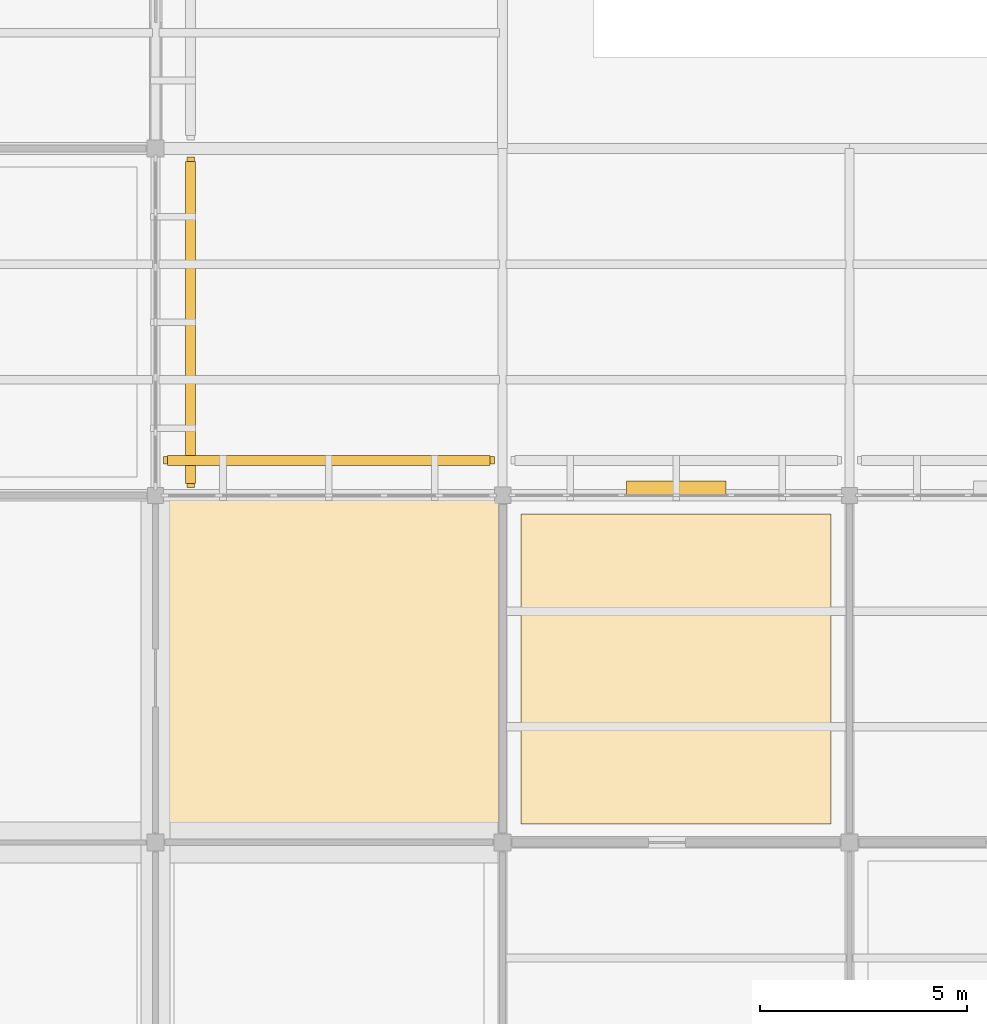
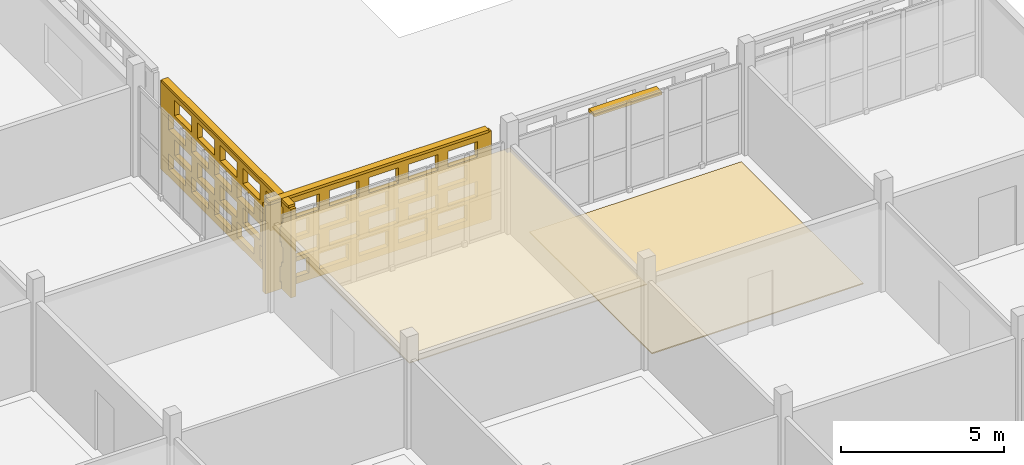
# One storey, part 122 of 166: 4 coverings, 3 shading devices, 40 openings.
"""IFC4 building model written with IfcOpenShell, lengths in metres."""

from ifc_helpers import new_model, si_unit, direction, frame, frame_2d, origin, origin_2d, place, context, subcontext, project, spatial, rectangle, extrude, material, layer, layer_set, type_object, element, save


model = new_model("IFC4")

# Units and contexts
model_context = context("Model", 3, precision=1e-05, world=origin(), true_north=direction((0.0, 1.0)))
body_context = subcontext(model_context, "Body", "Model", "MODEL_VIEW")
ifc_project = project(units=[si_unit("LENGTHUNIT", "METRE"), si_unit("AREAUNIT", "SQUARE_METRE"), si_unit("VOLUMEUNIT", "CUBIC_METRE"), si_unit("PLANEANGLEUNIT", "RADIAN"), si_unit("MASSUNIT", "GRAM", prefix="KILO")], contexts=[model_context])

# Site, building, storey
site_placement = place(None, origin())
site = spatial("IfcSite", under=ifc_project, at=site_placement, CompositionType="ELEMENT")
building_placement = place(site_placement, origin())
building = spatial("IfcBuilding", under=site, at=building_placement, Name="Varnapada Polytechnic", CompositionType="ELEMENT")
storey_placement = place(building_placement, frame((0.0, 0.0, 9.60009765625)))
storey = spatial("IfcBuildingStorey", under=building, at=storey_placement, Name="L02", CompositionType="ELEMENT", Elevation=9.60009765625)

# Covering
ifc_material_1 = material(Name="Acoustic Rubber Seminar Flooring")
ifc_layer_1 = layer(ifc_material_1, 0.0400390625)
ifc_layer_set_1 = layer_set([ifc_layer_1], Name="Acoustic Rubber Seminar Flooring")
covering_type_1 = type_object("IfcCoveringType", Name="Floor Finish FLR-06", PredefinedType="FLOORING", material=ifc_layer_set_1)
covering_1_placement = place(storey_placement, frame((46.199951171875, 37.800048828125, 0.0), z_axis=(0.0, 0.0, 1.0), x_axis=(1.0, 0.0, 0.0)))
element("IfcCovering", 1, at=covering_1_placement, inside=storey, type_object=covering_type_1, Name="L02 floor finish panel (6,5)", PredefinedType="FLOORING", context=body_context, shape_type="SweptSolid", body=[
    extrude(rectangle(XDim=7.5, YDim=7.5, at=origin_2d()), origin(), (0.0, 0.0, 1.0), 0.0400390625),
])

# Shading device
ifc_material_2 = material(Name="Anodised aluminium", Category="aluminium")
ifc_layer_2 = layer(ifc_material_2, 0.35009765625)
ifc_layer_set_2 = layer_set([ifc_layer_2], Name="Anodised aluminium")
shading_device_type_1 = type_object("IfcShadingDeviceType", Name="Solar Louvre LVR-01", PredefinedType="JALOUSIE", material=ifc_layer_set_2)
shading_device_1_placement = place(storey_placement, frame((46.205078125, 42.179931640625, 3.159912109375), z_axis=(0.0, 0.0, 1.0), x_axis=(1.0, 0.0, 0.0)))
element("IfcShadingDevice", 2, at=shading_device_1_placement, inside=storey, type_object=shading_device_type_1, Name="L02 aluminium sun louvre 37", PredefinedType="JALOUSIE", context=body_context, shape_type="SweptSolid", body=[
    extrude(rectangle(XDim=2.39990234375, YDim=0.340087890625, at=origin_2d()), origin(), (0.0, 0.0, 1.0), 0.1201171875),
])

# Covering
ifc_material_3 = material(Name="Cleanroom Laboratory Metal Pan Ceiling")
ifc_layer_3 = layer(ifc_material_3, 0.034912109375)
ifc_layer_set_3 = layer_set([ifc_layer_3], Name="Cleanroom Laboratory Metal Pan Ceiling")
covering_type_2 = type_object("IfcCoveringType", Name="Suspended Ceiling CLG-06", PredefinedType="CEILING", material=ifc_layer_set_3)
covering_2_placement = place(storey_placement, frame((37.800048828125, 37.800048828125, 3.0322265625), z_axis=(0.0, 0.0, 1.0), x_axis=(1.0, 0.0, 0.0)))
element("IfcCovering", 3, at=covering_2_placement, inside=storey, type_object=covering_type_2, Name="L02 suspended acoustic ceiling (5,5)", PredefinedType="CEILING", context=body_context, shape_type="SweptSolid", body=[
    extrude(rectangle(XDim=8.419921875, YDim=8.419921875, at=origin_2d()), origin(), (0.0, 0.0, 1.0), 0.034912109375),
])

# Covering, openings
ifc_material_4 = material(Name="Earth-toned architectural terracotta screen block", Category="masonry")
ifc_layer_4 = layer(ifc_material_4, 0.1201171875)
ifc_layer_set_4 = layer_set([ifc_layer_4], Name="Earth-toned architectural terracotta screen block")
covering_type_3 = type_object("IfcCoveringType", Name="Terracotta Screen Cladding CLD-01", PredefinedType="CLADDING", material=ifc_layer_set_4)
covering_3_placement = place(storey_placement, frame((34.449951171875, 50.18994140625, 0.0), z_axis=(0.0, 0.0, 1.0), x_axis=(0.0, -1.0, 0.0)))
covering_3 = element("IfcCovering", 4, at=covering_3_placement, inside=storey, type_object=covering_type_3, Name="L02 perforated terracotta block screen (23)", PredefinedType="CLADDING", context=body_context, shape_type="SweptSolid", body=[
    extrude(rectangle(XDim=8.0, YDim=0.179931640625, at=frame_2d((4.0, 0.0))), origin(), (0.0, 0.0, 1.0), 3.31982421875),
])
opening_1_placement = place(covering_3_placement, frame((0.5, 0.0, 0.265625)))
element("IfcOpeningElement", 5, at=opening_1_placement, cuts=covering_3, Name="Screen perforation TBS-L02-022.1", PredefinedType="OPENING", context=body_context, shape_type="SweptSolid", body=[
    extrude(rectangle(XDim=1.0400390625, YDim=0.5810546875, at=frame_2d((0.52001953125, 0.29052734375))), frame((0.0, 0.099853515625, 0.0), z_axis=(0.0, -1.0, 0.0), x_axis=(1.0, 0.0, 0.0)), (0.0, 0.0, 1.0), 0.199951171875),
])
opening_2_placement = place(covering_3_placement, frame((1.89990234375, 0.0, 0.265625)))
element("IfcOpeningElement", 6, at=opening_2_placement, cuts=covering_3, Name="Screen perforation TBS-L02-022.2", PredefinedType="OPENING", context=body_context, shape_type="SweptSolid", body=[
    extrude(rectangle(XDim=1.0400390625, YDim=0.5810546875, at=frame_2d((0.52001953125, 0.29052734375))), frame((0.0, 0.099853515625, 0.0), z_axis=(0.0, -1.0, 0.0), x_axis=(1.0, 0.0, 0.0)), (0.0, 0.0, 1.0), 0.199951171875),
])
opening_3_placement = place(covering_3_placement, frame((3.300048828125, 0.0, 0.265625)))
element("IfcOpeningElement", 7, at=opening_3_placement, cuts=covering_3, Name="Screen perforation TBS-L02-022.3", PredefinedType="OPENING", context=body_context, shape_type="SweptSolid", body=[
    extrude(rectangle(XDim=1.0400390625, YDim=0.5810546875, at=frame_2d((0.52001953125, 0.29052734375))), frame((0.0, 0.099853515625, 0.0), z_axis=(0.0, -1.0, 0.0), x_axis=(1.0, 0.0, 0.0)), (0.0, 0.0, 1.0), 0.199951171875),
])
opening_4_placement = place(covering_3_placement, frame((4.699951171875, 0.0, 0.265625)))
element("IfcOpeningElement", 8, at=opening_4_placement, cuts=covering_3, Name="Screen perforation TBS-L02-022.4", PredefinedType="OPENING", context=body_context, shape_type="SweptSolid", body=[
    extrude(rectangle(XDim=1.0400390625, YDim=0.5810546875, at=frame_2d((0.52001953125, 0.29052734375))), frame((0.0, 0.099853515625, 0.0), z_axis=(0.0, -1.0, 0.0), x_axis=(1.0, 0.0, 0.0)), (0.0, 0.0, 1.0), 0.199951171875),
])
opening_5_placement = place(covering_3_placement, frame((6.10009765625, 0.0, 0.265625)))
element("IfcOpeningElement", 9, at=opening_5_placement, cuts=covering_3, Name="Screen perforation TBS-L02-022.5", PredefinedType="OPENING", context=body_context, shape_type="SweptSolid", body=[
    extrude(rectangle(XDim=1.0400390625, YDim=0.5810546875, at=frame_2d((0.52001953125, 0.29052734375))), frame((0.0, 0.099853515625, 0.0), z_axis=(0.0, -1.0, 0.0), x_axis=(1.0, 0.0, 0.0)), (0.0, 0.0, 1.0), 0.199951171875),
])
opening_6_placement = place(covering_3_placement, frame((0.860107421875, 0.0, 1.0126953125)))
element("IfcOpeningElement", 10, at=opening_6_placement, cuts=covering_3, Name="Screen perforation TBS-L02-022.6", PredefinedType="OPENING", context=body_context, shape_type="SweptSolid", body=[
    extrude(rectangle(XDim=1.0400390625, YDim=0.5810546875, at=frame_2d((0.52001953125, 0.29052734375))), frame((0.0, 0.099853515625, 0.0), z_axis=(0.0, -1.0, 0.0), x_axis=(1.0, 0.0, 0.0)), (0.0, 0.0, 1.0), 0.199951171875),
])
opening_7_placement = place(covering_3_placement, frame((2.260009765625, 0.0, 1.0126953125)))
element("IfcOpeningElement", 11, at=opening_7_placement, cuts=covering_3, Name="Screen perforation TBS-L02-022.7", PredefinedType="OPENING", context=body_context, shape_type="SweptSolid", body=[
    extrude(rectangle(XDim=1.0400390625, YDim=0.5810546875, at=frame_2d((0.52001953125, 0.29052734375))), frame((0.0, 0.099853515625, 0.0), z_axis=(0.0, -1.0, 0.0), x_axis=(1.0, 0.0, 0.0)), (0.0, 0.0, 1.0), 0.199951171875),
])
opening_8_placement = place(covering_3_placement, frame((3.659912109375, 0.0, 1.0126953125)))
element("IfcOpeningElement", 12, at=opening_8_placement, cuts=covering_3, Name="Screen perforation TBS-L02-022.8", PredefinedType="OPENING", context=body_context, shape_type="SweptSolid", body=[
    extrude(rectangle(XDim=1.0400390625, YDim=0.5810546875, at=frame_2d((0.52001953125, 0.29052734375))), frame((0.0, 0.099853515625, 0.0), z_axis=(0.0, -1.0, 0.0), x_axis=(1.0, 0.0, 0.0)), (0.0, 0.0, 1.0), 0.199951171875),
])
opening_9_placement = place(covering_3_placement, frame((5.06005859375, 0.0, 1.0126953125)))
element("IfcOpeningElement", 13, at=opening_9_placement, cuts=covering_3, Name="Screen perforation TBS-L02-022.9", PredefinedType="OPENING", context=body_context, shape_type="SweptSolid", body=[
    extrude(rectangle(XDim=1.0400390625, YDim=0.5810546875, at=frame_2d((0.52001953125, 0.29052734375))), frame((0.0, 0.099853515625, 0.0), z_axis=(0.0, -1.0, 0.0), x_axis=(1.0, 0.0, 0.0)), (0.0, 0.0, 1.0), 0.199951171875),
])
opening_10_placement = place(covering_3_placement, frame((6.4599609375, 0.0, 1.0126953125)))
element("IfcOpeningElement", 14, at=opening_10_placement, cuts=covering_3, Name="Screen perforation TBS-L02-022.10", PredefinedType="OPENING", context=body_context, shape_type="SweptSolid", body=[
    extrude(rectangle(XDim=1.0400390625, YDim=0.5810546875, at=frame_2d((0.52001953125, 0.29052734375))), frame((0.0, 0.099853515625, 0.0), z_axis=(0.0, -1.0, 0.0), x_axis=(1.0, 0.0, 0.0)), (0.0, 0.0, 1.0), 0.199951171875),
])
opening_11_placement = place(covering_3_placement, frame((0.5, 0.0, 1.759521484375)))
element("IfcOpeningElement", 15, at=opening_11_placement, cuts=covering_3, Name="Screen perforation TBS-L02-022.11", PredefinedType="OPENING", context=body_context, shape_type="SweptSolid", body=[
    extrude(rectangle(XDim=1.0400390625, YDim=0.5810546875, at=frame_2d((0.52001953125, 0.29052734375))), frame((0.0, 0.099853515625, 0.0), z_axis=(0.0, -1.0, 0.0), x_axis=(1.0, 0.0, 0.0)), (0.0, 0.0, 1.0), 0.199951171875),
])
opening_12_placement = place(covering_3_placement, frame((1.89990234375, 0.0, 1.759521484375)))
element("IfcOpeningElement", 16, at=opening_12_placement, cuts=covering_3, Name="Screen perforation TBS-L02-022.12", PredefinedType="OPENING", context=body_context, shape_type="SweptSolid", body=[
    extrude(rectangle(XDim=1.0400390625, YDim=0.5810546875, at=frame_2d((0.52001953125, 0.29052734375))), frame((0.0, 0.099853515625, 0.0), z_axis=(0.0, -1.0, 0.0), x_axis=(1.0, 0.0, 0.0)), (0.0, 0.0, 1.0), 0.199951171875),
])
opening_13_placement = place(covering_3_placement, frame((3.300048828125, 0.0, 1.759521484375)))
element("IfcOpeningElement", 17, at=opening_13_placement, cuts=covering_3, Name="Screen perforation TBS-L02-022.13", PredefinedType="OPENING", context=body_context, shape_type="SweptSolid", body=[
    extrude(rectangle(XDim=1.0400390625, YDim=0.5810546875, at=frame_2d((0.52001953125, 0.29052734375))), frame((0.0, 0.099853515625, 0.0), z_axis=(0.0, -1.0, 0.0), x_axis=(1.0, 0.0, 0.0)), (0.0, 0.0, 1.0), 0.199951171875),
])
opening_14_placement = place(covering_3_placement, frame((4.699951171875, 0.0, 1.759521484375)))
element("IfcOpeningElement", 18, at=opening_14_placement, cuts=covering_3, Name="Screen perforation TBS-L02-022.14", PredefinedType="OPENING", context=body_context, shape_type="SweptSolid", body=[
    extrude(rectangle(XDim=1.0400390625, YDim=0.5810546875, at=frame_2d((0.52001953125, 0.29052734375))), frame((0.0, 0.099853515625, 0.0), z_axis=(0.0, -1.0, 0.0), x_axis=(1.0, 0.0, 0.0)), (0.0, 0.0, 1.0), 0.199951171875),
])
opening_15_placement = place(covering_3_placement, frame((6.10009765625, 0.0, 1.759521484375)))
element("IfcOpeningElement", 19, at=opening_15_placement, cuts=covering_3, Name="Screen perforation TBS-L02-022.15", PredefinedType="OPENING", context=body_context, shape_type="SweptSolid", body=[
    extrude(rectangle(XDim=1.0400390625, YDim=0.5810546875, at=frame_2d((0.52001953125, 0.29052734375))), frame((0.0, 0.099853515625, 0.0), z_axis=(0.0, -1.0, 0.0), x_axis=(1.0, 0.0, 0.0)), (0.0, 0.0, 1.0), 0.199951171875),
])
opening_16_placement = place(covering_3_placement, frame((0.860107421875, 0.0, 2.506591796875)))
element("IfcOpeningElement", 20, at=opening_16_placement, cuts=covering_3, Name="Screen perforation TBS-L02-022.16", PredefinedType="OPENING", context=body_context, shape_type="SweptSolid", body=[
    extrude(rectangle(XDim=1.0400390625, YDim=0.5810546875, at=frame_2d((0.52001953125, 0.29052734375))), frame((0.0, 0.099853515625, 0.0), z_axis=(0.0, -1.0, 0.0), x_axis=(1.0, 0.0, 0.0)), (0.0, 0.0, 1.0), 0.199951171875),
])
opening_17_placement = place(covering_3_placement, frame((2.260009765625, 0.0, 2.506591796875)))
element("IfcOpeningElement", 21, at=opening_17_placement, cuts=covering_3, Name="Screen perforation TBS-L02-022.17", PredefinedType="OPENING", context=body_context, shape_type="SweptSolid", body=[
    extrude(rectangle(XDim=1.0400390625, YDim=0.5810546875, at=frame_2d((0.52001953125, 0.29052734375))), frame((0.0, 0.099853515625, 0.0), z_axis=(0.0, -1.0, 0.0), x_axis=(1.0, 0.0, 0.0)), (0.0, 0.0, 1.0), 0.199951171875),
])
opening_18_placement = place(covering_3_placement, frame((3.659912109375, 0.0, 2.506591796875)))
element("IfcOpeningElement", 22, at=opening_18_placement, cuts=covering_3, Name="Screen perforation TBS-L02-022.18", PredefinedType="OPENING", context=body_context, shape_type="SweptSolid", body=[
    extrude(rectangle(XDim=1.0400390625, YDim=0.5810546875, at=frame_2d((0.52001953125, 0.29052734375))), frame((0.0, 0.099853515625, 0.0), z_axis=(0.0, -1.0, 0.0), x_axis=(1.0, 0.0, 0.0)), (0.0, 0.0, 1.0), 0.199951171875),
])
opening_19_placement = place(covering_3_placement, frame((5.06005859375, 0.0, 2.506591796875)))
element("IfcOpeningElement", 23, at=opening_19_placement, cuts=covering_3, Name="Screen perforation TBS-L02-022.19", PredefinedType="OPENING", context=body_context, shape_type="SweptSolid", body=[
    extrude(rectangle(XDim=1.0400390625, YDim=0.5810546875, at=frame_2d((0.52001953125, 0.29052734375))), frame((0.0, 0.099853515625, 0.0), z_axis=(0.0, -1.0, 0.0), x_axis=(1.0, 0.0, 0.0)), (0.0, 0.0, 1.0), 0.199951171875),
])
opening_20_placement = place(covering_3_placement, frame((6.4599609375, 0.0, 2.506591796875)))
element("IfcOpeningElement", 24, at=opening_20_placement, cuts=covering_3, Name="Screen perforation TBS-L02-022.20", PredefinedType="OPENING", context=body_context, shape_type="SweptSolid", body=[
    extrude(rectangle(XDim=1.0400390625, YDim=0.5810546875, at=frame_2d((0.52001953125, 0.29052734375))), frame((0.0, 0.099853515625, 0.0), z_axis=(0.0, -1.0, 0.0), x_axis=(1.0, 0.0, 0.0)), (0.0, 0.0, 1.0), 0.199951171875),
])

covering_4_placement = place(storey_placement, frame((33.7900390625, 42.85009765625, 0.0), z_axis=(0.0, 0.0, 1.0), x_axis=(1.0, 0.0, 0.0)))
covering_4 = element("IfcCovering", 25, at=covering_4_placement, inside=storey, type_object=covering_type_3, Name="L02 perforated terracotta block screen (35)", PredefinedType="CLADDING", context=body_context, shape_type="SweptSolid", body=[
    extrude(rectangle(XDim=8.010009765625, YDim=0.179931640625, at=frame_2d((4.0048828125, 0.0))), origin(), (0.0, 0.0, 1.0), 3.31982421875),
])
opening_21_placement = place(covering_4_placement, frame((0.5048828125, 0.0, 0.265625)))
element("IfcOpeningElement", 26, at=opening_21_placement, cuts=covering_4, Name="Screen perforation TBS-L02-034.1", PredefinedType="OPENING", context=body_context, shape_type="SweptSolid", body=[
    extrude(rectangle(XDim=1.0400390625, YDim=0.5810546875, at=frame_2d((0.52001953125, 0.29052734375))), frame((0.0, 0.099853515625, 0.0), z_axis=(0.0, -1.0, 0.0), x_axis=(1.0, 0.0, 0.0)), (0.0, 0.0, 1.0), 0.199951171875),
])
opening_22_placement = place(covering_4_placement, frame((1.905029296875, 0.0, 0.265625)))
element("IfcOpeningElement", 27, at=opening_22_placement, cuts=covering_4, Name="Screen perforation TBS-L02-034.2", PredefinedType="OPENING", context=body_context, shape_type="SweptSolid", body=[
    extrude(rectangle(XDim=1.0400390625, YDim=0.5810546875, at=frame_2d((0.52001953125, 0.29052734375))), frame((0.0, 0.099853515625, 0.0), z_axis=(0.0, -1.0, 0.0), x_axis=(1.0, 0.0, 0.0)), (0.0, 0.0, 1.0), 0.199951171875),
])
opening_23_placement = place(covering_4_placement, frame((3.304931640625, 0.0, 0.265625)))
element("IfcOpeningElement", 28, at=opening_23_placement, cuts=covering_4, Name="Screen perforation TBS-L02-034.3", PredefinedType="OPENING", context=body_context, shape_type="SweptSolid", body=[
    extrude(rectangle(XDim=1.0400390625, YDim=0.5810546875, at=frame_2d((0.52001953125, 0.29052734375))), frame((0.0, 0.099853515625, 0.0), z_axis=(0.0, -1.0, 0.0), x_axis=(1.0, 0.0, 0.0)), (0.0, 0.0, 1.0), 0.199951171875),
])
opening_24_placement = place(covering_4_placement, frame((4.705078125, 0.0, 0.265625)))
element("IfcOpeningElement", 29, at=opening_24_placement, cuts=covering_4, Name="Screen perforation TBS-L02-034.4", PredefinedType="OPENING", context=body_context, shape_type="SweptSolid", body=[
    extrude(rectangle(XDim=1.0400390625, YDim=0.5810546875, at=frame_2d((0.52001953125, 0.29052734375))), frame((0.0, 0.099853515625, 0.0), z_axis=(0.0, -1.0, 0.0), x_axis=(1.0, 0.0, 0.0)), (0.0, 0.0, 1.0), 0.199951171875),
])
opening_25_placement = place(covering_4_placement, frame((6.10498046875, 0.0, 0.265625)))
element("IfcOpeningElement", 30, at=opening_25_placement, cuts=covering_4, Name="Screen perforation TBS-L02-034.5", PredefinedType="OPENING", context=body_context, shape_type="SweptSolid", body=[
    extrude(rectangle(XDim=1.0400390625, YDim=0.5810546875, at=frame_2d((0.52001953125, 0.29052734375))), frame((0.0, 0.099853515625, 0.0), z_axis=(0.0, -1.0, 0.0), x_axis=(1.0, 0.0, 0.0)), (0.0, 0.0, 1.0), 0.199951171875),
])
opening_26_placement = place(covering_4_placement, frame((0.864990234375, 0.0, 1.0126953125)))
element("IfcOpeningElement", 31, at=opening_26_placement, cuts=covering_4, Name="Screen perforation TBS-L02-034.6", PredefinedType="OPENING", context=body_context, shape_type="SweptSolid", body=[
    extrude(rectangle(XDim=1.0400390625, YDim=0.5810546875, at=frame_2d((0.52001953125, 0.29052734375))), frame((0.0, 0.099853515625, 0.0), z_axis=(0.0, -1.0, 0.0), x_axis=(1.0, 0.0, 0.0)), (0.0, 0.0, 1.0), 0.199951171875),
])
opening_27_placement = place(covering_4_placement, frame((2.264892578125, 0.0, 1.0126953125)))
element("IfcOpeningElement", 32, at=opening_27_placement, cuts=covering_4, Name="Screen perforation TBS-L02-034.7", PredefinedType="OPENING", context=body_context, shape_type="SweptSolid", body=[
    extrude(rectangle(XDim=1.0400390625, YDim=0.5810546875, at=frame_2d((0.52001953125, 0.29052734375))), frame((0.0, 0.099853515625, 0.0), z_axis=(0.0, -1.0, 0.0), x_axis=(1.0, 0.0, 0.0)), (0.0, 0.0, 1.0), 0.199951171875),
])
opening_28_placement = place(covering_4_placement, frame((3.6650390625, 0.0, 1.0126953125)))
element("IfcOpeningElement", 33, at=opening_28_placement, cuts=covering_4, Name="Screen perforation TBS-L02-034.8", PredefinedType="OPENING", context=body_context, shape_type="SweptSolid", body=[
    extrude(rectangle(XDim=1.0400390625, YDim=0.5810546875, at=frame_2d((0.52001953125, 0.29052734375))), frame((0.0, 0.099853515625, 0.0), z_axis=(0.0, -1.0, 0.0), x_axis=(1.0, 0.0, 0.0)), (0.0, 0.0, 1.0), 0.199951171875),
])
opening_29_placement = place(covering_4_placement, frame((5.06494140625, 0.0, 1.0126953125)))
element("IfcOpeningElement", 34, at=opening_29_placement, cuts=covering_4, Name="Screen perforation TBS-L02-034.9", PredefinedType="OPENING", context=body_context, shape_type="SweptSolid", body=[
    extrude(rectangle(XDim=1.0400390625, YDim=0.5810546875, at=frame_2d((0.52001953125, 0.29052734375))), frame((0.0, 0.099853515625, 0.0), z_axis=(0.0, -1.0, 0.0), x_axis=(1.0, 0.0, 0.0)), (0.0, 0.0, 1.0), 0.199951171875),
])
opening_30_placement = place(covering_4_placement, frame((6.465087890625, 0.0, 1.0126953125)))
element("IfcOpeningElement", 35, at=opening_30_placement, cuts=covering_4, Name="Screen perforation TBS-L02-034.10", PredefinedType="OPENING", context=body_context, shape_type="SweptSolid", body=[
    extrude(rectangle(XDim=1.0400390625, YDim=0.5810546875, at=frame_2d((0.52001953125, 0.29052734375))), frame((0.0, 0.099853515625, 0.0), z_axis=(0.0, -1.0, 0.0), x_axis=(1.0, 0.0, 0.0)), (0.0, 0.0, 1.0), 0.199951171875),
])
opening_31_placement = place(covering_4_placement, frame((0.5048828125, 0.0, 1.759521484375)))
element("IfcOpeningElement", 36, at=opening_31_placement, cuts=covering_4, Name="Screen perforation TBS-L02-034.11", PredefinedType="OPENING", context=body_context, shape_type="SweptSolid", body=[
    extrude(rectangle(XDim=1.0400390625, YDim=0.5810546875, at=frame_2d((0.52001953125, 0.29052734375))), frame((0.0, 0.099853515625, 0.0), z_axis=(0.0, -1.0, 0.0), x_axis=(1.0, 0.0, 0.0)), (0.0, 0.0, 1.0), 0.199951171875),
])
opening_32_placement = place(covering_4_placement, frame((1.905029296875, 0.0, 1.759521484375)))
element("IfcOpeningElement", 37, at=opening_32_placement, cuts=covering_4, Name="Screen perforation TBS-L02-034.12", PredefinedType="OPENING", context=body_context, shape_type="SweptSolid", body=[
    extrude(rectangle(XDim=1.0400390625, YDim=0.5810546875, at=frame_2d((0.52001953125, 0.29052734375))), frame((0.0, 0.099853515625, 0.0), z_axis=(0.0, -1.0, 0.0), x_axis=(1.0, 0.0, 0.0)), (0.0, 0.0, 1.0), 0.199951171875),
])
opening_33_placement = place(covering_4_placement, frame((3.304931640625, 0.0, 1.759521484375)))
element("IfcOpeningElement", 38, at=opening_33_placement, cuts=covering_4, Name="Screen perforation TBS-L02-034.13", PredefinedType="OPENING", context=body_context, shape_type="SweptSolid", body=[
    extrude(rectangle(XDim=1.0400390625, YDim=0.5810546875, at=frame_2d((0.52001953125, 0.29052734375))), frame((0.0, 0.099853515625, 0.0), z_axis=(0.0, -1.0, 0.0), x_axis=(1.0, 0.0, 0.0)), (0.0, 0.0, 1.0), 0.199951171875),
])
opening_34_placement = place(covering_4_placement, frame((4.705078125, 0.0, 1.759521484375)))
element("IfcOpeningElement", 39, at=opening_34_placement, cuts=covering_4, Name="Screen perforation TBS-L02-034.14", PredefinedType="OPENING", context=body_context, shape_type="SweptSolid", body=[
    extrude(rectangle(XDim=1.0400390625, YDim=0.5810546875, at=frame_2d((0.52001953125, 0.29052734375))), frame((0.0, 0.099853515625, 0.0), z_axis=(0.0, -1.0, 0.0), x_axis=(1.0, 0.0, 0.0)), (0.0, 0.0, 1.0), 0.199951171875),
])
opening_35_placement = place(covering_4_placement, frame((6.10498046875, 0.0, 1.759521484375)))
element("IfcOpeningElement", 40, at=opening_35_placement, cuts=covering_4, Name="Screen perforation TBS-L02-034.15", PredefinedType="OPENING", context=body_context, shape_type="SweptSolid", body=[
    extrude(rectangle(XDim=1.0400390625, YDim=0.5810546875, at=frame_2d((0.52001953125, 0.29052734375))), frame((0.0, 0.099853515625, 0.0), z_axis=(0.0, -1.0, 0.0), x_axis=(1.0, 0.0, 0.0)), (0.0, 0.0, 1.0), 0.199951171875),
])
opening_36_placement = place(covering_4_placement, frame((0.864990234375, 0.0, 2.506591796875)))
element("IfcOpeningElement", 41, at=opening_36_placement, cuts=covering_4, Name="Screen perforation TBS-L02-034.16", PredefinedType="OPENING", context=body_context, shape_type="SweptSolid", body=[
    extrude(rectangle(XDim=1.0400390625, YDim=0.5810546875, at=frame_2d((0.52001953125, 0.29052734375))), frame((0.0, 0.099853515625, 0.0), z_axis=(0.0, -1.0, 0.0), x_axis=(1.0, 0.0, 0.0)), (0.0, 0.0, 1.0), 0.199951171875),
])
opening_37_placement = place(covering_4_placement, frame((2.264892578125, 0.0, 2.506591796875)))
element("IfcOpeningElement", 42, at=opening_37_placement, cuts=covering_4, Name="Screen perforation TBS-L02-034.17", PredefinedType="OPENING", context=body_context, shape_type="SweptSolid", body=[
    extrude(rectangle(XDim=1.0400390625, YDim=0.5810546875, at=frame_2d((0.52001953125, 0.29052734375))), frame((0.0, 0.099853515625, 0.0), z_axis=(0.0, -1.0, 0.0), x_axis=(1.0, 0.0, 0.0)), (0.0, 0.0, 1.0), 0.199951171875),
])
opening_38_placement = place(covering_4_placement, frame((3.6650390625, 0.0, 2.506591796875)))
element("IfcOpeningElement", 43, at=opening_38_placement, cuts=covering_4, Name="Screen perforation TBS-L02-034.18", PredefinedType="OPENING", context=body_context, shape_type="SweptSolid", body=[
    extrude(rectangle(XDim=1.0400390625, YDim=0.5810546875, at=frame_2d((0.52001953125, 0.29052734375))), frame((0.0, 0.099853515625, 0.0), z_axis=(0.0, -1.0, 0.0), x_axis=(1.0, 0.0, 0.0)), (0.0, 0.0, 1.0), 0.199951171875),
])
opening_39_placement = place(covering_4_placement, frame((5.06494140625, 0.0, 2.506591796875)))
element("IfcOpeningElement", 44, at=opening_39_placement, cuts=covering_4, Name="Screen perforation TBS-L02-034.19", PredefinedType="OPENING", context=body_context, shape_type="SweptSolid", body=[
    extrude(rectangle(XDim=1.0400390625, YDim=0.5810546875, at=frame_2d((0.52001953125, 0.29052734375))), frame((0.0, 0.099853515625, 0.0), z_axis=(0.0, -1.0, 0.0), x_axis=(1.0, 0.0, 0.0)), (0.0, 0.0, 1.0), 0.199951171875),
])
opening_40_placement = place(covering_4_placement, frame((6.465087890625, 0.0, 2.506591796875)))
element("IfcOpeningElement", 45, at=opening_40_placement, cuts=covering_4, Name="Screen perforation TBS-L02-034.20", PredefinedType="OPENING", context=body_context, shape_type="SweptSolid", body=[
    extrude(rectangle(XDim=1.0400390625, YDim=0.5810546875, at=frame_2d((0.52001953125, 0.29052734375))), frame((0.0, 0.099853515625, 0.0), z_axis=(0.0, -1.0, 0.0), x_axis=(1.0, 0.0, 0.0)), (0.0, 0.0, 1.0), 0.199951171875),
])

# Shading devices
ifc_layer_5 = layer(ifc_material_4, 0.179931640625)
ifc_layer_set_5 = layer_set([ifc_layer_5], Name="Earth-toned architectural terracotta screen block")
shading_device_type_2 = type_object("IfcShadingDeviceType", Name="Terracotta Screen SCR-01", PredefinedType="USERDEFINED", material=ifc_layer_set_5)
shading_device_2_placement = place(storey_placement, frame((34.449951171875, 46.18994140625, 3.309814453125), z_axis=(0.0, 0.0, 1.0), x_axis=(0.0, -1.0, 0.0)))
element("IfcShadingDevice", 46, at=shading_device_2_placement, inside=storey, type_object=shading_device_type_2, Name="L02 perforated terracotta screen hood 252", ObjectType="SCREEN", PredefinedType="USERDEFINED", context=body_context, shape_type="SweptSolid", body=[
    extrude(rectangle(XDim=7.800048828125, YDim=0.239990234375, at=origin_2d()), origin(), (0.0, 0.0, 1.0), 0.10009765625),
])
shading_device_3_placement = place(storey_placement, frame((37.794921875, 42.85009765625, 3.309814453125), z_axis=(0.0, 0.0, 1.0), x_axis=(1.0, 0.0, 0.0)))
element("IfcShadingDevice", 47, at=shading_device_3_placement, inside=storey, type_object=shading_device_type_2, Name="L02 perforated terracotta screen hood 264", ObjectType="SCREEN", PredefinedType="USERDEFINED", context=body_context, shape_type="SweptSolid", body=[
    extrude(rectangle(XDim=7.81005859375, YDim=0.239990234375, at=origin_2d()), origin(), (0.0, 0.0, 1.0), 0.10009765625),
])

save(model, "model.ifc")
